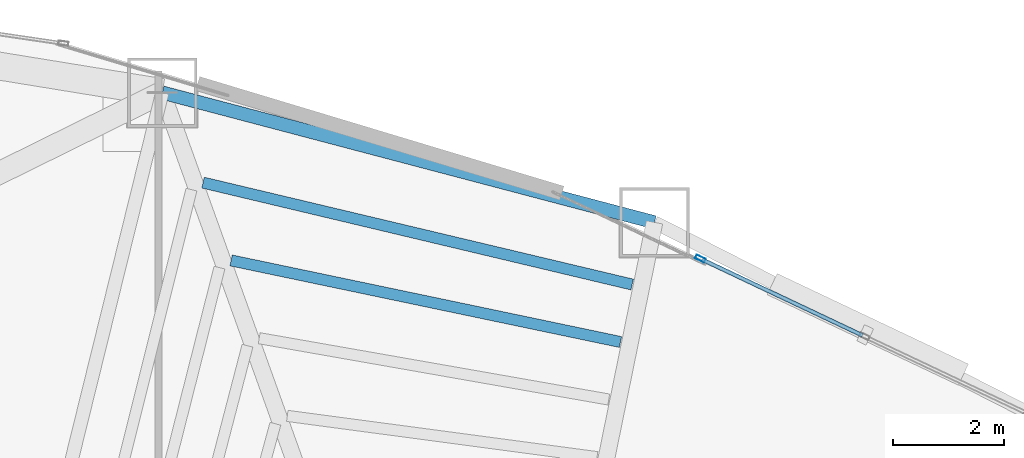
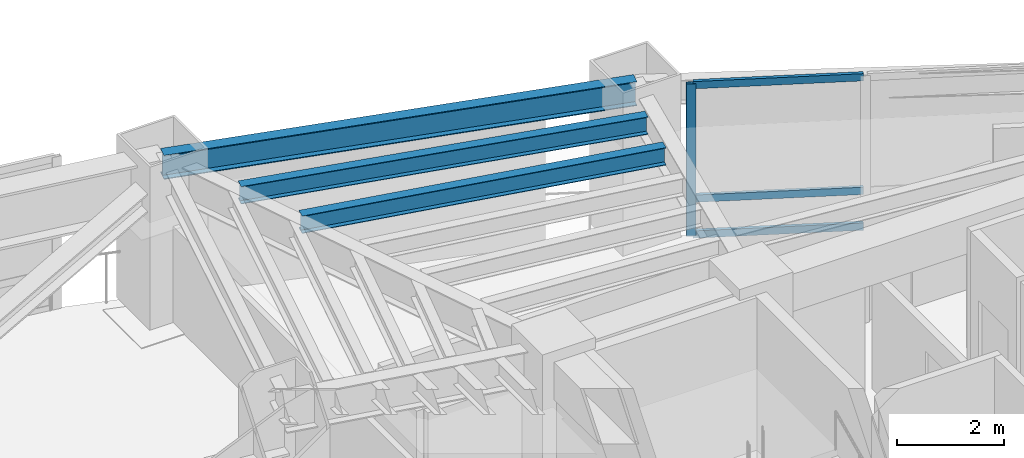
# One storey, part 15 of 23: 4 members, 3 beams, 1 element without a shape of its own.
"""IFC4 building model written with IfcOpenShell, lengths in metres."""

import ifcopenshell
import ifcopenshell.guid

model = None  # the IFC model being written
_history = None  # IfcOwnerHistory: only IFC2X3 demands one
_inside = {}  # id of a spatial element -> (the spatial element, [elements in it])
_under = {}  # id of a project, library or spatial element -> (it, [spatial elements below it])
_declared = {}  # id of a project -> (the project, [libraries it declares])
_typed = {}  # id of a type object -> (the type object, [elements of that type])
_made_of = {}  # id of a material, layer set ... -> (it, [elements and type objects made of it])


def new_model(schema):
    """Start an empty IFC model of exactly this schema.

    Asked for "IFC4X3", IfcOpenShell would pick the latest addendum, in which some entities
    have other attributes; the version numbers below select the first issue.
    IFC2X3 requires an IfcOwnerHistory on every rooted entity: one is made here for all.
    """
    global model, _history
    if schema == "IFC4X3":
        model = ifcopenshell.file(schema_version=(4, 3, 0, 0))
    else:
        model = ifcopenshell.file(schema=schema)
    _inside.clear()
    _under.clear()
    _declared.clear()
    _typed.clear()
    _made_of.clear()
    _history = None
    if model.schema == "IFC2X3":
        org = make("IfcOrganization", Name="unknown")
        user = make(
            "IfcPersonAndOrganization",
            ThePerson=make("IfcPerson", FamilyName="unknown"),
            TheOrganization=org,
        )
        app = make(
            "IfcApplication",
            ApplicationDeveloper=org,
            Version="unknown",
            ApplicationFullName="unknown",
            ApplicationIdentifier="unknown",
        )
        _history = make(
            "IfcOwnerHistory",
            OwningUser=user,
            OwningApplication=app,
            ChangeAction="ADDED",
            CreationDate=0,
        )
    return model


def make(cls, **values):
    """One entity of the class cls with the attributes given. An attribute that is None is left unset."""
    return model.create_entity(
        cls, **{name: value for name, value in values.items() if value is not None}
    )


def rooted(cls, **values):
    """An entity with a GlobalId (a new one), such as an element, a storey or a relation."""
    return make(cls, GlobalId=ifcopenshell.guid.new(), OwnerHistory=_history, **values)


def si_unit(unit_type, name, prefix=None):
    """IfcSIUnit, for example si_unit("LENGTHUNIT", "METRE", prefix="MILLI")."""
    return make("IfcSIUnit", UnitType=unit_type, Prefix=prefix, Name=name)


def assignment(units):
    """IfcUnitAssignment: the units of a project."""
    return None if units is None else make("IfcUnitAssignment", Units=units)


def point(xyz):
    """IfcCartesianPoint."""
    return None if xyz is None else make("IfcCartesianPoint", Coordinates=xyz)


def direction(xyz):
    """IfcDirection."""
    return None if xyz is None else make("IfcDirection", DirectionRatios=xyz)


def frame(location, z_axis=None, x_axis=None):
    """IfcAxis2Placement3D, a coordinate frame: its origin and axes. An axis left out is left unset."""
    return make(
        "IfcAxis2Placement3D",
        Location=point(location),
        Axis=direction(z_axis),
        RefDirection=direction(x_axis),
    )


def frame_2d(location, x_axis=None):
    """IfcAxis2Placement2D, a coordinate frame in the plane: its origin and x axis."""
    return make(
        "IfcAxis2Placement2D", Location=point(location), RefDirection=direction(x_axis)
    )


def origin():
    """The frame at (0, 0, 0) with its axes left unset."""
    return frame((0.0, 0.0, 0.0))


def origin_2d():
    """The frame at (0, 0) in the plane with its x axis left unset."""
    return frame_2d((0.0, 0.0))


def place(relative_to, where):
    """IfcLocalPlacement: puts the frame where relative to a parent placement (None: the world)."""
    return make(
        "IfcLocalPlacement", PlacementRelTo=relative_to, RelativePlacement=where
    )


def context(
    kind, dimensions, precision=None, world=None, true_north=None, identifier=None
):
    """IfcGeometricRepresentationContext, for example the 3D "Model" context."""
    return make(
        "IfcGeometricRepresentationContext",
        ContextIdentifier=identifier,
        ContextType=kind,
        CoordinateSpaceDimension=dimensions,
        Precision=precision,
        WorldCoordinateSystem=world,
        TrueNorth=true_north,
    )


def subcontext(parent, identifier, kind, view, scale=None):
    """IfcGeometricRepresentationSubContext, for example "Body" below "Model"."""
    return make(
        "IfcGeometricRepresentationSubContext",
        ContextIdentifier=identifier,
        ContextType=kind,
        ParentContext=parent,
        TargetScale=scale,
        TargetView=view,
    )


def project(units=None, contexts=None):
    """IfcProject with its units and contexts."""
    return rooted(
        "IfcProject",
        Name="project",
        RepresentationContexts=contexts,
        UnitsInContext=assignment(units),
    )


def spatial(cls, under=None, at=None, **own):
    """A site, building, storey or space (cls), placed at a placement, below another one or the project."""
    s = rooted(cls, ObjectPlacement=at, **own)
    if under is not None:
        _under.setdefault(under.id(), (under, []))[1].append(s)
    return s


def profile(cls, at=None, kind="AREA", **sizes):
    """A parametric profile (cls). Its sizes go by their IFC names, for example OverallWidth=200.0."""
    return make(cls, ProfileType=kind, Position=at, **sizes)


def hollow_rectangle(**sizes):
    """IfcRectangleHollowProfileDef."""
    return profile("IfcRectangleHollowProfileDef", **sizes)


def i_section(**sizes):
    """IfcIShapeProfileDef."""
    return profile("IfcIShapeProfileDef", **sizes)


def extrude(swept, where, along, depth):
    """IfcExtrudedAreaSolid: the profile swept, set in the frame where, extruded along a direction by depth."""
    return make(
        "IfcExtrudedAreaSolid",
        SweptArea=swept,
        Position=where,
        ExtrudedDirection=direction(along),
        Depth=depth,
    )


def shape(context_of_items, identifier, shape_type, items):
    """IfcShapeRepresentation: the items that make up one representation, for example the "Body"."""
    return make(
        "IfcShapeRepresentation",
        ContextOfItems=context_of_items,
        RepresentationIdentifier=identifier,
        RepresentationType=shape_type,
        Items=items,
    )


def material(Name=None, Category=None):
    """IfcMaterial."""
    return make("IfcMaterial", Name=Name, Category=Category)


def layer(
    of_material, thickness, ventilated=None, Name=None, Category=None, Priority=None
):
    """IfcMaterialLayer: one layer of a wall or slab, of a material (None: an air gap)."""
    return make(
        "IfcMaterialLayer",
        Material=of_material,
        LayerThickness=thickness,
        IsVentilated=ventilated,
        Name=Name,
        Category=Category,
        Priority=Priority,
    )


def layer_set(layers, Name=None):
    """IfcMaterialLayerSet."""
    return make("IfcMaterialLayerSet", MaterialLayers=layers, LayerSetName=Name)


def material_profile(
    of_material, cross_section, Name=None, Category=None, Priority=None
):
    """IfcMaterialProfile: a cross section and its material."""
    return make(
        "IfcMaterialProfile",
        Name=Name,
        Material=of_material,
        Profile=cross_section,
        Priority=Priority,
        Category=Category,
    )


def profile_set(profiles, Name=None, composite=None):
    """IfcMaterialProfileSet."""
    return make(
        "IfcMaterialProfileSet",
        Name=Name,
        MaterialProfiles=profiles,
        CompositeProfile=composite,
    )


def made_of(thing, what):
    """Note that an element or type object is made of a material, layer set ...; save() writes the relation."""
    if what is not None:
        _made_of.setdefault(what.id(), (what, []))[1].append(thing)
    return thing


def type_object(cls, material=None, **own):
    """A type object (cls), such as IfcWallType, which elements share."""
    return made_of(rooted(cls, **own), material)


def element(
    cls,
    number,
    at=None,
    inside=None,
    cuts=None,
    type_object=None,
    material=None,
    context=None,
    identifier="Body",
    shape_type=None,
    held_by="IfcProductDefinitionShape",
    body=None,
    shapes=None,
    **own,
):
    """One element of the class cls, such as IfcWall. Its Tag is "e" and its number.

    at: its placement. inside: the storey or other place that contains it. cuts: it is an
    opening in that element (IfcRelVoidsElement). A single representation is given by context,
    identifier, shape_type and body (its items); several are given by shapes. held_by: the class
    of the entity that holds the representations. save() writes the other relations.
    """
    e = rooted(cls, Tag="e%d" % number, ObjectPlacement=at, **own)
    if body is not None:
        shapes = [shape(context, identifier, shape_type, body)]
    if shapes is not None:
        e.Representation = make(held_by, Representations=shapes)
    if inside is not None:
        _inside.setdefault(inside.id(), (inside, []))[1].append(e)
    if cuts is not None:
        rooted(
            "IfcRelVoidsElement", RelatingBuildingElement=cuts, RelatedOpeningElement=e
        )
    if type_object is not None:
        _typed.setdefault(type_object.id(), (type_object, []))[1].append(e)
    return made_of(e, material)


def aggregate(whole, parts):
    """IfcRelAggregates: a whole, such as a stair, and the parts it consists of."""
    return rooted("IfcRelAggregates", RelatingObject=whole, RelatedObjects=parts)


def save(model, path):
    """Write the relations noted so far, then the file.

    IfcRelAggregates (storeys below a building ...), IfcRelContainedInSpatialStructure (elements
    in a storey), IfcRelDefinesByType, IfcRelAssociatesMaterial and IfcRelDeclares: one each for
    every whole, place, type object, material and project.
    """
    for whole, parts in _under.values():
        aggregate(whole, parts)
    for where, things in _inside.values():
        rooted(
            "IfcRelContainedInSpatialStructure",
            RelatedElements=things,
            RelatingStructure=where,
        )
    for kind, things in _typed.values():
        rooted("IfcRelDefinesByType", RelatedObjects=things, RelatingType=kind)
    for what, things in _made_of.values():
        rooted("IfcRelAssociatesMaterial", RelatedObjects=things, RelatingMaterial=what)
    for by, libraries in _declared.values():
        rooted("IfcRelDeclares", RelatingContext=by, RelatedDefinitions=libraries)
    model.write(path)


model = new_model("IFC4")

# Units and contexts
model_context = context("Model", 3, precision=1e-05, world=origin(), true_north=direction((0.0, 1.0)))
body_context = subcontext(model_context, "Body", "Model", "MODEL_VIEW")
ifc_project = project(units=[si_unit("LENGTHUNIT", "METRE"), si_unit("AREAUNIT", "SQUARE_METRE"), si_unit("VOLUMEUNIT", "CUBIC_METRE"), si_unit("PLANEANGLEUNIT", "RADIAN"), si_unit("MASSUNIT", "GRAM", prefix="KILO")], contexts=[model_context])

# Site, building, storey
site_placement = place(None, origin())
site = spatial("IfcSite", under=ifc_project, at=site_placement, CompositionType="ELEMENT")
building_placement = place(site_placement, origin())
building = spatial("IfcBuilding", under=site, at=building_placement, Name="Menara Vayukalpa", CompositionType="ELEMENT")
storey_placement = place(building_placement, frame((0.0, 0.0, 107.699951171875)))
storey = spatial("IfcBuildingStorey", under=building, at=storey_placement, Name="L26", CompositionType="ELEMENT", Elevation=107.699951171875)

# Beams
ifc_material_1 = material(Name="Steel S355", Category="steel")
ifc_material_profile_1 = material_profile(ifc_material_1, i_section(OverallWidth=0.199951171875, OverallDepth=0.39990234375, WebThickness=0.008056640625, FlangeThickness=0.012939453125, at=origin_2d()), Name="WF 400x200x8x13")
ifc_profile_set_1 = profile_set([ifc_material_profile_1], Name="Steel S355")
beam_type_1 = type_object("IfcBeamType", Name="BM-SJ2", PredefinedType="JOIST", material=ifc_profile_set_1)
beam_1_placement = place(storey_placement, frame((22.797119140625, 31.318603515625, 3.27001953125), z_axis=(-0.978749487369, 0.205059603471, 0.0), x_axis=(-0.205059603471, -0.978749487369, 0.0)))
element("IfcBeam", 1, at=beam_1_placement, inside=storey, type_object=beam_type_1, Name="L26 Secondary Floor Joist SJ03-4", PredefinedType="JOIST", context=body_context, shape_type="SweptSolid", body=[
    extrude(i_section(OverallWidth=0.199951171875, OverallDepth=0.39990234375, WebThickness=0.008056640625, FlangeThickness=0.012939453125, at=origin_2d()), origin(), (0.0, 0.0, 1.0), 7.1435546875),
])
beam_2_placement = place(storey_placement, frame((23.00732421875, 32.3505859375, 3.27001953125), z_axis=(-0.97293603101, 0.231074619036, 0.0), x_axis=(-0.231074619036, -0.97293603101, 0.0)))
element("IfcBeam", 2, at=beam_2_placement, inside=storey, type_object=beam_type_1, Name="L26 Secondary Floor Joist SJ03-5", PredefinedType="JOIST", context=body_context, shape_type="SweptSolid", body=[
    extrude(i_section(OverallWidth=0.199951171875, OverallDepth=0.39990234375, WebThickness=0.008056640625, FlangeThickness=0.012939453125, at=origin_2d()), origin(), (0.0, 0.0, 1.0), 7.9208984375),
])
ifc_material_2 = material(Name="Steel S355", Category="steel")
ifc_material_profile_2 = material_profile(ifc_material_2, i_section(OverallWidth=0.239990234375, OverallDepth=0.550048828125, WebThickness=0.010986328125, FlangeThickness=0.01904296875, at=origin_2d()), Name="WF 550x240x11x19")
ifc_profile_set_2 = profile_set([ifc_material_profile_2], Name="Steel S355")
beam_type_2 = type_object("IfcBeamType", Name="BM-SP2", PredefinedType="SPANDREL", material=ifc_profile_set_2)
beam_3_placement = place(storey_placement, frame((23.408203125, 33.46728515625, 3.195068359375), z_axis=(-0.966966857313, 0.254902131921, 0.0), x_axis=(-0.254902131921, -0.966966857313, 0.0)))
element("IfcBeam", 3, at=beam_3_placement, inside=storey, type_object=beam_type_2, Name="L26 Perimeter Spandrel Beam SP03", PredefinedType="SPANDREL", context=body_context, shape_type="SweptSolid", body=[
    extrude(i_section(OverallWidth=0.239990234375, OverallDepth=0.550048828125, WebThickness=0.010986328125, FlangeThickness=0.01904296875, at=origin_2d()), origin(), (0.0, 0.0, 1.0), 9.14111328125),
])

# Curtain wall, members
ifc_material_3 = material(Name="Anodised Terracotta Aluminium Alloy 6063-T6", Category="masonry")
ifc_layer = layer(ifc_material_3, 0.179931640625)
ifc_layer_set = layer_set([ifc_layer], Name="Anodised Terracotta Aluminium Alloy 6063-T6")
curtain_wall_type = type_object("IfcCurtainWallType", Name="CW-CW4", PredefinedType="USERDEFINED", material=ifc_layer_set)
curtain_wall_placement = place(storey_placement, origin())
curtain_wall = element("IfcCurtainWall", 4, at=curtain_wall_placement, inside=storey, type_object=curtain_wall_type, Name="L26 Sky Bar Cantilever Glazed Curtain Wall CW4 05", ObjectType="UNITISED", PredefinedType="USERDEFINED")
ifc_material_4 = material(Name="Anodised Terracotta Aluminium Alloy 6063-T6", Category="masonry")
ifc_material_profile_3 = material_profile(ifc_material_4, hollow_rectangle(XDim=0.074951171875, YDim=0.179931640625, WallThickness=0.00390625, at=origin_2d()), Name="ALU 75x180x4")
ifc_profile_set_3 = profile_set([ifc_material_profile_3], Name="Anodised Terracotta Aluminium Alloy 6063-T6")
member_type_1 = type_object("IfcMemberType", Name="CWM-CW4", PredefinedType="MULLION", material=ifc_profile_set_3)
member_1_placement = place(storey_placement, frame((24.230712890625, 32.815185546875, 0.0), z_axis=(0.0, 0.0, 1.0), x_axis=(-0.427870715016, -0.903839947796, 0.0)))
member_1 = element("IfcMember", 5, at=member_1_placement, type_object=member_type_1, Name="CW4 mullion 3", PredefinedType="MULLION", context=body_context, shape_type="SweptSolid", body=[
    extrude(hollow_rectangle(XDim=0.074951171875, YDim=0.179931640625, WallThickness=0.00390625, at=origin_2d()), origin(), (0.0, 0.0, 1.0), 3.469970703125),
])
ifc_material_5 = material(Name="Anodised Terracotta Aluminium Alloy 6063-T6", Category="masonry")
ifc_material_profile_4 = material_profile(ifc_material_5, hollow_rectangle(XDim=0.070068359375, YDim=0.1650390625, WallThickness=0.00390625, at=origin_2d()), Name="ALU 70x165x4")
ifc_profile_set_4 = profile_set([ifc_material_profile_4], Name="Anodised Terracotta Aluminium Alloy 6063-T6")
member_type_2 = type_object("IfcMemberType", Name="CWT-CW4", PredefinedType="USERDEFINED", material=ifc_profile_set_4)
member_2_placement = place(storey_placement, frame((27.14501953125, 31.435546875, 0.03515625), z_axis=(-0.903842327128, 0.427865688846, 0.0), x_axis=(-0.427865688846, -0.903842327128, 0.0)))
member_2 = element("IfcMember", 6, at=member_2_placement, type_object=member_type_2, Name="CW4 transom 2.1", ObjectType="TRANSOM", PredefinedType="USERDEFINED", context=body_context, shape_type="SweptSolid", body=[
    extrude(hollow_rectangle(XDim=0.070068359375, YDim=0.1650390625, WallThickness=0.00390625, at=origin_2d()), origin(), (0.0, 0.0, 1.0), 3.186767578125),
])
member_3_placement = place(storey_placement, frame((27.14501953125, 31.435546875, 0.85009765625), z_axis=(-0.903842327128, 0.427865688846, 0.0), x_axis=(-0.427865688846, -0.903842327128, 0.0)))
member_3 = element("IfcMember", 7, at=member_3_placement, type_object=member_type_2, Name="CW4 transom 2.2", ObjectType="TRANSOM", PredefinedType="USERDEFINED", context=body_context, shape_type="SweptSolid", body=[
    extrude(hollow_rectangle(XDim=0.070068359375, YDim=0.1650390625, WallThickness=0.00390625, at=origin_2d()), origin(), (0.0, 0.0, 1.0), 3.186767578125),
])
member_4_placement = place(storey_placement, frame((27.14501953125, 31.435546875, 3.43505859375), z_axis=(-0.903842327128, 0.427865688846, 0.0), x_axis=(-0.427865688846, -0.903842327128, 0.0)))
member_4 = element("IfcMember", 8, at=member_4_placement, type_object=member_type_2, Name="CW4 transom 2.3", ObjectType="TRANSOM", PredefinedType="USERDEFINED", context=body_context, shape_type="SweptSolid", body=[
    extrude(hollow_rectangle(XDim=0.070068359375, YDim=0.1650390625, WallThickness=0.00390625, at=origin_2d()), origin(), (0.0, 0.0, 1.0), 3.186767578125),
])
aggregate(curtain_wall, [member_1, member_2, member_3, member_4])

save(model, "model.ifc")
